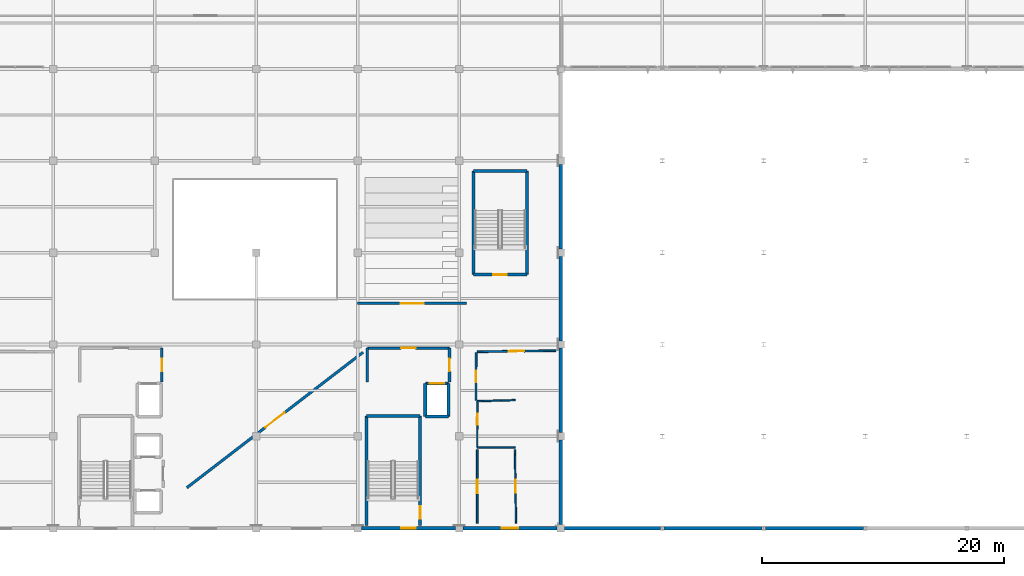
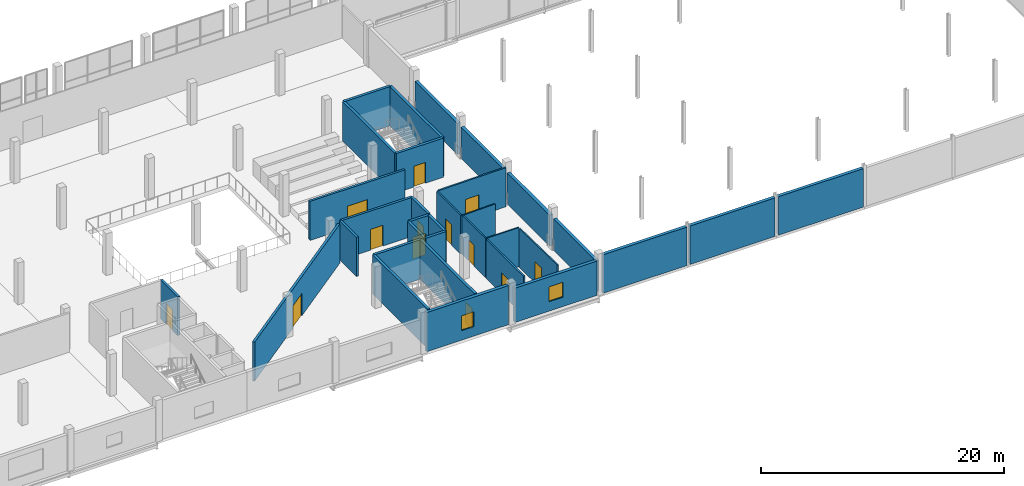
# One storey, part 194 of 217: 33 walls, 13 doors, 2 windows, 15 openings.
"""IFC4 building model written with IfcOpenShell, lengths in metres."""

from ifc_helpers import new_model, si_unit, direction, frame, frame_2d, origin, place, context, subcontext, project, spatial, rectangle, extrude, material, layer, layer_set, type_object, element, fill, save


model = new_model("IFC4")

# Units and contexts
model_context = context("Model", 3, precision=1e-05, world=origin(), true_north=direction((0.0, 1.0)))
body_context = subcontext(model_context, "Body", "Model", "MODEL_VIEW")
ifc_project = project(units=[si_unit("LENGTHUNIT", "METRE"), si_unit("AREAUNIT", "SQUARE_METRE"), si_unit("VOLUMEUNIT", "CUBIC_METRE"), si_unit("PLANEANGLEUNIT", "RADIAN"), si_unit("MASSUNIT", "GRAM", prefix="KILO")], contexts=[model_context])

# Site, building, storey
site_placement = place(None, origin())
site = spatial("IfcSite", under=ifc_project, at=site_placement, CompositionType="ELEMENT")
building_placement = place(site_placement, origin())
building = spatial("IfcBuilding", under=site, at=building_placement, Name="Zuvorla Pavilion Media Centre", CompositionType="ELEMENT")
storey_placement = place(building_placement, frame((0.0, 0.0, 9.60009765625)))
storey = spatial("IfcBuildingStorey", under=building, at=storey_placement, Name="L02", CompositionType="ELEMENT", Elevation=9.60009765625)

# Wall, opening, door
ifc_material_1 = material(Name="Acoustic masonry blockwork C32/40", Category="masonry")
ifc_layer_1 = layer(ifc_material_1, 0.219970703125)
ifc_layer_set_1 = layer_set([ifc_layer_1], Name="Acoustic masonry blockwork C32/40")
wall_type_1 = type_object("IfcWallType", Name="WL-CMP-220", PredefinedType="SOLIDWALL", material=ifc_layer_set_1)
wall_1_placement = place(storey_placement, frame((75.800048828125, 18.10009765625, 0.0), z_axis=(0.0, 0.0, 1.0), x_axis=(0.0, 1.0, 0.0)))
wall_1 = element("IfcWall", 1, at=wall_1_placement, inside=storey, type_object=wall_type_1, Name="L02 solid wall IW22 31", PredefinedType="SOLIDWALL", context=body_context, shape_type="SweptSolid", body=[
    extrude(rectangle(XDim=2.7998046875, YDim=0.219970703125, at=frame_2d((1.39990234375, 0.0))), origin(), (0.0, 0.0, 1.0), 3.929931640625),
])
opening_1_placement = place(wall_1_placement, frame((0.875, 0.0, 0.0)))
opening_1 = element("IfcOpeningElement", 2, at=opening_1_placement, cuts=wall_1, Name="Opening FD04", PredefinedType="OPENING", context=body_context, shape_type="SweptSolid", body=[
    extrude(rectangle(XDim=1.050048828125, YDim=2.10009765625, at=frame_2d((0.52490234375, 1.050048828125))), frame((0.0, 0.119873046875, 0.0), z_axis=(0.0, -1.0, 0.0), x_axis=(1.0, 0.0, 0.0)), (0.0, 0.0, 1.0), 0.239990234375),
])
ifc_material_2 = material(Name="Acoustic timber fire door leaf in steel frame", Category="steel")
door_type_1 = type_object("IfcDoorType", Name="DR-INT-FD04", OperationType="NOTDEFINED", PredefinedType="DOOR", material=ifc_material_2)
door_1_placement = place(opening_1_placement, origin())
door_1 = element("IfcDoor", 3, at=door_1_placement, inside=storey, type_object=door_type_1, Name="Firefighting lobby 1 access door FD04 15", OperationType="SINGLE_SWING_LEFT", OverallHeight=2.10009765625, OverallWidth=1.050048828125, PredefinedType="DOOR", context=body_context, shape_type="SweptSolid", body=[
    extrude(rectangle(XDim=1.050048828125, YDim=2.10009765625, at=frame_2d((0.52490234375, 1.050048828125))), frame((0.0, 0.02490234375, 0.0), z_axis=(0.0, -1.0, 0.0), x_axis=(1.0, 0.0, 0.0)), (0.0, 0.0, 1.0), 0.050048828125),
])
fill(opening_1, door_1)

wall_2_placement = place(storey_placement, frame((92.800048828125, 20.89990234375, 0.0), z_axis=(0.0, 0.0, 1.0), x_axis=(1.0, 0.0, 0.0)))
wall_2 = element("IfcWall", 4, at=wall_2_placement, inside=storey, type_object=wall_type_1, Name="L02 solid wall IW22 178", PredefinedType="SOLIDWALL", context=body_context, shape_type="SweptSolid", body=[
    extrude(rectangle(XDim=6.800048828125, YDim=0.219970703125, at=frame_2d((3.39990234375, 0.0))), origin(), (0.0, 0.0, 1.0), 3.929931640625),
])
opening_2_placement = place(wall_2_placement, frame((2.800048828125, 0.0, 0.0)))
opening_2 = element("IfcOpeningElement", 5, at=opening_2_placement, cuts=wall_2, Name="Opening FD06", PredefinedType="OPENING", context=body_context, shape_type="SweptSolid", body=[
    extrude(rectangle(XDim=1.199951171875, YDim=2.10009765625, at=frame_2d((0.60009765625, 1.050048828125))), frame((0.0, 0.119873046875, 0.0), z_axis=(0.0, -1.0, 0.0), x_axis=(1.0, 0.0, 0.0)), (0.0, 0.0, 1.0), 0.239990234375),
])
door_type_2 = type_object("IfcDoorType", Name="DR-INT-FD06", OperationType="NOTDEFINED", PredefinedType="DOOR", material=ifc_material_2)
door_2_placement = place(opening_2_placement, origin())
door_2 = element("IfcDoor", 6, at=door_2_placement, inside=storey, type_object=door_type_2, Name="Firefighting lobby 2 door FD06 67", OperationType="SINGLE_SWING_LEFT", OverallHeight=2.10009765625, OverallWidth=1.199951171875, PredefinedType="DOOR", context=body_context, shape_type="SweptSolid", body=[
    extrude(rectangle(XDim=1.199951171875, YDim=2.10009765625, at=frame_2d((0.60009765625, 1.050048828125))), frame((0.0, 0.02490234375, 0.0), z_axis=(0.0, -1.0, 0.0), x_axis=(1.0, 0.0, 0.0)), (0.0, 0.0, 1.0), 0.050048828125),
])
fill(opening_2, door_2)

# Wall
wall_3_placement = place(storey_placement, frame((92.800048828125, 18.10009765625, 0.0), z_axis=(0.0, 0.0, 1.0), x_axis=(0.0, 1.0, 0.0)))
element("IfcWall", 7, at=wall_3_placement, inside=storey, type_object=wall_type_1, Name="L02 solid wall IW22 179", PredefinedType="SOLIDWALL", context=body_context, shape_type="SweptSolid", body=[
    extrude(rectangle(XDim=2.7998046875, YDim=0.219970703125, at=frame_2d((1.39990234375, 0.0))), origin(), (0.0, 0.0, 1.0), 3.929931640625),
])

# Wall, opening, door
wall_4_placement = place(storey_placement, frame((99.60009765625, 18.10009765625, 0.0), z_axis=(0.0, 0.0, 1.0), x_axis=(0.0, 1.0, 0.0)))
wall_4 = element("IfcWall", 8, at=wall_4_placement, inside=storey, type_object=wall_type_1, Name="L02 solid wall IW22 180", PredefinedType="SOLIDWALL", context=body_context, shape_type="SweptSolid", body=[
    extrude(rectangle(XDim=2.7998046875, YDim=0.219970703125, at=frame_2d((1.39990234375, 0.0))), origin(), (0.0, 0.0, 1.0), 3.929931640625),
])
opening_3_placement = place(wall_4_placement, frame((0.875, 0.0, 0.0)))
opening_3 = element("IfcOpeningElement", 9, at=opening_3_placement, cuts=wall_4, Name="Opening FD04", PredefinedType="OPENING", context=body_context, shape_type="SweptSolid", body=[
    extrude(rectangle(XDim=1.050048828125, YDim=2.10009765625, at=frame_2d((0.52490234375, 1.050048828125))), frame((0.0, 0.119873046875, 0.0), z_axis=(0.0, -1.0, 0.0), x_axis=(1.0, 0.0, 0.0)), (0.0, 0.0, 1.0), 0.239990234375),
])
door_3_placement = place(opening_3_placement, origin())
door_3 = element("IfcDoor", 10, at=door_3_placement, inside=storey, type_object=door_type_1, Name="Firefighting lobby 2 access door FD04 68", OperationType="SINGLE_SWING_RIGHT", OverallHeight=2.10009765625, OverallWidth=1.050048828125, PredefinedType="DOOR", context=body_context, shape_type="SweptSolid", body=[
    extrude(rectangle(XDim=1.050048828125, YDim=2.10009765625, at=frame_2d((0.52490234375, 1.050048828125))), frame((0.0, 0.02490234375, 0.0), z_axis=(0.0, -1.0, 0.0), x_axis=(1.0, 0.0, 0.0)), (0.0, 0.0, 1.0), 0.050048828125),
])
fill(opening_3, door_3)

wall_5_placement = place(storey_placement, frame((91.98046875, 24.60009765625, 0.0), z_axis=(0.0, 0.0, 1.0), x_axis=(1.0, 0.0, 0.0)))
wall_5 = element("IfcWall", 11, at=wall_5_placement, inside=storey, type_object=wall_type_1, Name="L02 solid wall IW22 500", PredefinedType="SOLIDWALL", context=body_context, shape_type="SweptSolid", body=[
    extrude(rectangle(XDim=9.0390625, YDim=0.219970703125, at=frame_2d((4.51953125, 0.0))), origin(), (0.0, 0.0, 1.0), 3.929931640625),
])
opening_4_placement = place(wall_5_placement, frame((3.569580078125, 0.0, 0.0)))
opening_4 = element("IfcOpeningElement", 12, at=opening_4_placement, cuts=wall_5, Name="Opening FD11", PredefinedType="OPENING", context=body_context, shape_type="SweptSolid", body=[
    extrude(rectangle(XDim=1.89990234375, YDim=2.199951171875, at=frame_2d((0.949951171875, 1.10009765625))), frame((0.0, 0.119873046875, 0.0), z_axis=(0.0, -1.0, 0.0), x_axis=(1.0, 0.0, 0.0)), (0.0, 0.0, 1.0), 0.239990234375),
])
door_type_3 = type_object("IfcDoorType", Name="DR-INT-FD11", OperationType="NOTDEFINED", PredefinedType="DOOR", material=ifc_material_2)
door_4_placement = place(opening_4_placement, origin())
door_4 = element("IfcDoor", 13, at=door_4_placement, inside=storey, type_object=door_type_3, Name="Interior door FD11 207", OperationType="DOUBLE_DOOR_SINGLE_SWING", OverallHeight=2.199951171875, OverallWidth=1.89990234375, PredefinedType="DOOR", context=body_context, shape_type="SweptSolid", body=[
    extrude(rectangle(XDim=1.89990234375, YDim=2.199951171875, at=frame_2d((0.949951171875, 1.10009765625))), frame((0.0, 0.02490234375, 0.0), z_axis=(0.0, -1.0, 0.0), x_axis=(1.0, 0.0, 0.0)), (0.0, 0.0, 1.0), 0.050048828125),
])
fill(opening_4, door_4)

wall_6_placement = place(storey_placement, frame((92.43603515625, 20.55126953125, 0.0), z_axis=(0.0, 0.0, 1.0), x_axis=(-0.792804184344, -0.609476435382, 0.0)))
wall_6 = element("IfcWall", 14, at=wall_6_placement, inside=storey, type_object=wall_type_1, Name="L02 solid wall IW22 501", PredefinedType="SOLIDWALL", context=body_context, shape_type="SweptSolid", body=[
    extrude(rectangle(XDim=18.38037109375, YDim=0.219970703125, at=frame_2d((9.190185546875, 0.0))), origin(), (0.0, 0.0, 1.0), 3.929931640625),
])
opening_5_placement = place(wall_6_placement, frame((8.190185546875, 0.0, 0.0)))
opening_5 = element("IfcOpeningElement", 15, at=opening_5_placement, cuts=wall_6, Name="Opening FD12", PredefinedType="OPENING", context=body_context, shape_type="SweptSolid", body=[
    extrude(rectangle(XDim=2.0, YDim=2.25, at=frame_2d((1.0, 1.125))), frame((0.0, 0.119873046875, 0.0), z_axis=(0.0, -1.0, 0.0), x_axis=(1.0, 0.0, 0.0)), (0.0, 0.0, 1.0), 0.239990234375),
])
door_type_4 = type_object("IfcDoorType", Name="DR-INT-FD12", OperationType="NOTDEFINED", PredefinedType="DOOR", material=ifc_material_2)
door_5_placement = place(opening_5_placement, origin())
door_5 = element("IfcDoor", 16, at=door_5_placement, inside=storey, type_object=door_type_4, Name="Interior door FD12 208", OperationType="DOUBLE_DOOR_SINGLE_SWING", OverallHeight=2.25, OverallWidth=2.0, PredefinedType="DOOR", context=body_context, shape_type="SweptSolid", body=[
    extrude(rectangle(XDim=2.0, YDim=2.25, at=frame_2d((1.0, 1.125))), frame((0.0, 0.02490234375, 0.0), z_axis=(0.0, -1.0, 0.0), x_axis=(1.0, 0.0, 0.0)), (0.0, 0.0, 1.0), 0.050048828125),
])
fill(opening_5, door_5)

# Wall
ifc_material_3 = material(Name="Concrete C40/50", Category="concrete")
ifc_layer_2 = layer(ifc_material_3, 0.25)
ifc_layer_set_2 = layer_set([ifc_layer_2], Name="Concrete C40/50")
wall_type_2 = type_object("IfcWallType", Name="WL-COR-250", PredefinedType="SHEAR", material=ifc_layer_set_2)
wall_7_placement = place(storey_placement, frame((92.72509765625, 6.22509765625, 0.0), z_axis=(0.0, 0.0, 1.0), x_axis=(0.0, 1.0, 0.0)))
element("IfcWall", 17, at=wall_7_placement, inside=storey, type_object=wall_type_2, Name="L02 shear wall CW25 175", PredefinedType="SHEAR", context=body_context, shape_type="SweptSolid", body=[
    extrude(rectangle(XDim=9.0498046875, YDim=0.25, at=frame_2d((4.52490234375, 0.0))), origin(), (0.0, 0.0, 1.0), 3.949951171875),
])

# Wall, opening, door
wall_8_placement = place(storey_placement, frame((97.175048828125, 6.22509765625, 0.0), z_axis=(0.0, 0.0, 1.0), x_axis=(0.0, 1.0, 0.0)))
wall_8 = element("IfcWall", 18, at=wall_8_placement, inside=storey, type_object=wall_type_2, Name="L02 shear wall CW25 176", PredefinedType="SHEAR", context=body_context, shape_type="SweptSolid", body=[
    extrude(rectangle(XDim=9.0498046875, YDim=0.25, at=frame_2d((4.52490234375, 0.0))), origin(), (0.0, 0.0, 1.0), 3.949951171875),
])
opening_6_placement = place(wall_8_placement, frame((0.550048828125, 0.0, 0.0)))
opening_6 = element("IfcOpeningElement", 19, at=opening_6_placement, cuts=wall_8, Name="Opening FD04", PredefinedType="OPENING", context=body_context, shape_type="SweptSolid", body=[
    extrude(rectangle(XDim=1.050048828125, YDim=2.10009765625, at=frame_2d((0.52490234375, 1.050048828125))), frame((0.0, 0.135009765625, 0.0), z_axis=(0.0, -1.0, 0.0), x_axis=(1.0, 0.0, 0.0)), (0.0, 0.0, 1.0), 0.27001953125),
])
door_6_placement = place(opening_6_placement, frame((1.050048828125, 0.0, 0.0), z_axis=(0.0, 0.0, 1.0), x_axis=(-1.0, 0.0, 0.0)))
door_6 = element("IfcDoor", 20, at=door_6_placement, inside=storey, type_object=door_type_1, Name="Stair ST-02 fire door FD04 66", OperationType="SINGLE_SWING_LEFT", OverallHeight=2.10009765625, OverallWidth=1.050048828125, PredefinedType="DOOR", context=body_context, shape_type="SweptSolid", body=[
    extrude(rectangle(XDim=1.050048828125, YDim=2.10009765625, at=frame_2d((0.52490234375, 1.050048828125))), frame((0.0, 0.02490234375, 0.0), z_axis=(0.0, -1.0, 0.0), x_axis=(1.0, 0.0, 0.0)), (0.0, 0.0, 1.0), 0.050048828125),
])
fill(opening_6, door_6)

# Walls
wall_9_placement = place(storey_placement, frame((92.72509765625, 15.27490234375, 0.0), z_axis=(0.0, 0.0, 1.0), x_axis=(1.0, 0.0, 0.0)))
element("IfcWall", 21, at=wall_9_placement, inside=storey, type_object=wall_type_2, Name="L02 shear wall CW25 177", PredefinedType="SHEAR", context=body_context, shape_type="SweptSolid", body=[
    extrude(rectangle(XDim=4.449951171875, YDim=0.25, at=frame_2d((2.22509765625, 0.0))), origin(), (0.0, 0.0, 1.0), 3.949951171875),
])
wall_10_placement = place(storey_placement, frame((97.590087890625, 15.239990234375, 0.0), z_axis=(0.0, 0.0, 1.0), x_axis=(1.0, 0.0, 0.0)))
element("IfcWall", 22, at=wall_10_placement, inside=storey, type_object=wall_type_2, Name="L02 shear wall CW25 217", PredefinedType="SHEAR", context=body_context, shape_type="SweptSolid", body=[
    extrude(rectangle(XDim=1.919921875, YDim=0.25, at=frame_2d((0.9599609375, 0.0))), origin(), (0.0, 0.0, 1.0), 3.949951171875),
])

# Wall, opening, door
wall_11_placement = place(storey_placement, frame((97.590087890625, 17.9599609375, 0.0), z_axis=(0.0, 0.0, 1.0), x_axis=(1.0, 0.0, 0.0)))
wall_11 = element("IfcWall", 23, at=wall_11_placement, inside=storey, type_object=wall_type_2, Name="L02 shear wall CW25 218", PredefinedType="SHEAR", context=body_context, shape_type="SweptSolid", body=[
    extrude(rectangle(XDim=1.919921875, YDim=0.25, at=frame_2d((0.9599609375, 0.0))), origin(), (0.0, 0.0, 1.0), 3.949951171875),
])
opening_7_placement = place(wall_11_placement, frame((0.360107421875, 0.0, 0.0)))
opening_7 = element("IfcOpeningElement", 24, at=opening_7_placement, cuts=wall_11, Name="Opening LD02", PredefinedType="OPENING", context=body_context, shape_type="SweptSolid", body=[
    extrude(rectangle(XDim=1.199951171875, YDim=2.199951171875, at=frame_2d((0.60009765625, 1.10009765625))), frame((0.0, 0.135009765625, 0.0), z_axis=(0.0, -1.0, 0.0), x_axis=(1.0, 0.0, 0.0)), (0.0, 0.0, 1.0), 0.27001953125),
])
ifc_material_4 = material(Name="Brushed stainless steel sliding lift landing door", Category="steel")
door_type_5 = type_object("IfcDoorType", Name="DR-LFT-LD02", OperationType="SLIDING_TO_LEFT", PredefinedType="DOOR", material=ifc_material_4)
door_7_placement = place(opening_7_placement, origin())
door_7 = element("IfcDoor", 25, at=door_7_placement, inside=storey, type_object=door_type_5, Name="Lift LF-04 landing door LD02 84", OperationType="SLIDING_TO_LEFT", OverallHeight=2.199951171875, OverallWidth=1.199951171875, PredefinedType="DOOR", context=body_context, shape_type="SweptSolid", body=[
    extrude(rectangle(XDim=1.199951171875, YDim=2.199951171875, at=frame_2d((0.60009765625, 1.10009765625))), frame((0.0, 0.02490234375, 0.0), z_axis=(0.0, -1.0, 0.0), x_axis=(1.0, 0.0, 0.0)), (0.0, 0.0, 1.0), 0.050048828125),
])
fill(opening_7, door_7)

# Walls
for number, where, z_axis, x_axis, name in (
    (26, (97.590087890625, 15.239990234375, 0.0), (0.0, 0.0, 1.0), (0.0, 1.0, 0.0), "L02 shear wall CW25 219"),
    (27, (99.510009765625, 15.239990234375, 0.0), (0.0, 0.0, 1.0), (0.0, 1.0, 0.0), "L02 shear wall CW25 220"),
):
    element("IfcWall", number, at=place(storey_placement, frame(where, z_axis=z_axis, x_axis=x_axis)), inside=storey, type_object=wall_type_2, Name=name, PredefinedType="SHEAR", context=body_context, shape_type="SweptSolid", body=[
        extrude(rectangle(XDim=2.719970703125, YDim=0.25, at=frame_2d((1.35986328125, 0.0))), origin(), (0.0, 0.0, 1.0), 3.949951171875),
    ])
for number, where, z_axis, x_axis, name in (
    (28, (101.574951171875, 26.97509765625, 0.0), (0.0, 0.0, 1.0), (0.0, 1.0, 0.0), "L02 shear wall CW25 313"),
    (29, (106.02490234375, 26.97509765625, 0.0), (0.0, 0.0, 1.0), (0.0, 1.0, 0.0), "L02 shear wall CW25 314"),
):
    element("IfcWall", number, at=place(storey_placement, frame(where, z_axis=z_axis, x_axis=x_axis)), inside=storey, type_object=wall_type_2, Name=name, PredefinedType="SHEAR", context=body_context, shape_type="SweptSolid", body=[
        extrude(rectangle(XDim=8.599853515625, YDim=0.25, at=frame_2d((4.2998046875, 0.0))), origin(), (0.0, 0.0, 1.0), 3.949951171875),
    ])
wall_12_placement = place(storey_placement, frame((101.574951171875, 35.574951171875, 0.0), z_axis=(0.0, 0.0, 1.0), x_axis=(1.0, 0.0, 0.0)))
element("IfcWall", 30, at=wall_12_placement, inside=storey, type_object=wall_type_2, Name="L02 shear wall CW25 315", PredefinedType="SHEAR", context=body_context, shape_type="SweptSolid", body=[
    extrude(rectangle(XDim=4.449951171875, YDim=0.25, at=frame_2d((2.22509765625, 0.0))), origin(), (0.0, 0.0, 1.0), 3.949951171875),
])

# Wall, opening, door
wall_13_placement = place(storey_placement, frame((101.574951171875, 26.97509765625, 0.0), z_axis=(0.0, 0.0, 1.0), x_axis=(1.0, 0.0, 0.0)))
wall_13 = element("IfcWall", 31, at=wall_13_placement, inside=storey, type_object=wall_type_2, Name="L02 shear wall CW25 316", PredefinedType="SHEAR", context=body_context, shape_type="SweptSolid", body=[
    extrude(rectangle(XDim=4.449951171875, YDim=0.25, at=frame_2d((2.22509765625, 0.0))), origin(), (0.0, 0.0, 1.0), 3.949951171875),
])
opening_8_placement = place(wall_13_placement, frame((1.64990234375, 0.0, 0.0)))
opening_8 = element("IfcOpeningElement", 32, at=opening_8_placement, cuts=wall_13, Name="Opening FD05", PredefinedType="OPENING", context=body_context, shape_type="SweptSolid", body=[
    extrude(rectangle(XDim=1.10009765625, YDim=2.10009765625, at=frame_2d((0.550048828125, 1.050048828125))), frame((0.0, 0.135009765625, 0.0), z_axis=(0.0, -1.0, 0.0), x_axis=(1.0, 0.0, 0.0)), (0.0, 0.0, 1.0), 0.27001953125),
])
door_type_6 = type_object("IfcDoorType", Name="DR-INT-FD05", OperationType="NOTDEFINED", PredefinedType="DOOR", material=ifc_material_2)
door_8_placement = place(opening_8_placement, frame((1.10009765625, 0.0, 0.0), z_axis=(0.0, 0.0, 1.0), x_axis=(-1.0, 0.0, 0.0)))
door_8 = element("IfcDoor", 33, at=door_8_placement, inside=storey, type_object=door_type_6, Name="Stair ST-04 fire door FD05 108", OperationType="SINGLE_SWING_RIGHT", OverallHeight=2.10009765625, OverallWidth=1.10009765625, PredefinedType="DOOR", context=body_context, shape_type="SweptSolid", body=[
    extrude(rectangle(XDim=1.10009765625, YDim=2.10009765625, at=frame_2d((0.550048828125, 1.050048828125))), frame((0.0, 0.02490234375, 0.0), z_axis=(0.0, -1.0, 0.0), x_axis=(1.0, 0.0, 0.0)), (0.0, 0.0, 1.0), 0.050048828125),
])
fill(opening_8, door_8)

# Wall, opening, window
ifc_material_5 = material(Name="White rendered concrete C32/40", Category="concrete")
ifc_layer_3 = layer(ifc_material_5, 0.300048828125)
ifc_layer_set_3 = layer_set([ifc_layer_3], Name="White rendered concrete C32/40")
wall_type_3 = type_object("IfcWallType", Name="WL-EXT-300", PredefinedType="SOLIDWALL", material=ifc_layer_set_3)
wall_14_placement = place(storey_placement, frame((92.300048828125, 6.0, 0.0), z_axis=(0.0, 0.0, 1.0), x_axis=(1.0, 0.0, 0.0)))
wall_14 = element("IfcWall", 34, at=wall_14_placement, inside=storey, type_object=wall_type_3, Name="L02 exterior solid wall EW03 213", PredefinedType="SOLIDWALL", context=body_context, shape_type="SweptSolid", body=[
    extrude(rectangle(XDim=7.800048828125, YDim=0.300048828125, at=frame_2d((3.89990234375, 0.0))), origin(), (0.0, 0.0, 1.0), 3.929931640625),
])
opening_9_placement = place(wall_14_placement, frame((3.300048828125, 0.0, 0.949951171875)))
opening_9 = element("IfcOpeningElement", 35, at=opening_9_placement, cuts=wall_14, Name="Opening WN01", PredefinedType="OPENING", context=body_context, shape_type="SweptSolid", body=[
    extrude(rectangle(XDim=1.199951171875, YDim=1.5, at=frame_2d((0.60009765625, 0.75))), frame((0.0, 0.159912109375, 0.0), z_axis=(0.0, -1.0, 0.0), x_axis=(1.0, 0.0, 0.0)), (0.0, 0.0, 1.0), 0.320068359375),
])
ifc_material_6 = material(Name="Anodised aluminium frame with solar double glazing", Category="aluminium")
window_type_1 = type_object("IfcWindowType", Name="WIN-WN01", PartitioningType="SINGLE_PANEL", PredefinedType="WINDOW", material=ifc_material_6)
window_1_placement = place(opening_9_placement, origin())
window_1 = element("IfcWindow", 36, at=window_1_placement, inside=storey, type_object=window_type_1, Name="L02 window WN01 85", OverallHeight=1.5, OverallWidth=1.199951171875, PartitioningType="SINGLE_PANEL", PredefinedType="WINDOW", context=body_context, shape_type="SweptSolid", body=[
    extrude(rectangle(XDim=1.199951171875, YDim=1.5, at=frame_2d((0.60009765625, 0.75))), frame((0.0, 0.030029296875, 0.0), z_axis=(0.0, -1.0, 0.0), x_axis=(1.0, 0.0, 0.0)), (0.0, 0.0, 1.0), 0.06005859375),
])
fill(opening_9, window_1)

wall_15_placement = place(storey_placement, frame((100.699951171875, 6.0, 0.0), z_axis=(0.0, 0.0, 1.0), x_axis=(1.0, 0.0, 0.0)))
wall_15 = element("IfcWall", 37, at=wall_15_placement, inside=storey, type_object=wall_type_3, Name="L02 exterior solid wall EW03 214", PredefinedType="SOLIDWALL", context=body_context, shape_type="SweptSolid", body=[
    extrude(rectangle(XDim=7.800048828125, YDim=0.300048828125, at=frame_2d((3.89990234375, 0.0))), origin(), (0.0, 0.0, 1.0), 3.447021484375),
])
opening_10_placement = place(wall_15_placement, frame((3.22509765625, 0.0, 0.949951171875)))
opening_10 = element("IfcOpeningElement", 38, at=opening_10_placement, cuts=wall_15, Name="Opening WN02", PredefinedType="OPENING", context=body_context, shape_type="SweptSolid", body=[
    extrude(rectangle(XDim=1.35009765625, YDim=1.5, at=frame_2d((0.675048828125, 0.75))), frame((0.0, 0.159912109375, 0.0), z_axis=(0.0, -1.0, 0.0), x_axis=(1.0, 0.0, 0.0)), (0.0, 0.0, 1.0), 0.320068359375),
])
window_type_2 = type_object("IfcWindowType", Name="WIN-WN02", PartitioningType="SINGLE_PANEL", PredefinedType="WINDOW", material=ifc_material_6)
window_2_placement = place(opening_10_placement, origin())
window_2 = element("IfcWindow", 39, at=window_2_placement, inside=storey, type_object=window_type_2, Name="L02 window WN02 86", OverallHeight=1.5, OverallWidth=1.35009765625, PartitioningType="SINGLE_PANEL", PredefinedType="WINDOW", context=body_context, shape_type="SweptSolid", body=[
    extrude(rectangle(XDim=1.35009765625, YDim=1.5, at=frame_2d((0.675048828125, 0.75))), frame((0.0, 0.030029296875, 0.0), z_axis=(0.0, -1.0, 0.0), x_axis=(1.0, 0.0, 0.0)), (0.0, 0.0, 1.0), 0.06005859375),
])
fill(opening_10, window_2)

# Walls
wall_16_placement = place(storey_placement, frame((109.10009765625, 6.0, 0.0), z_axis=(0.0, 0.0, 1.0), x_axis=(1.0, 0.0, 0.0)))
element("IfcWall", 40, at=wall_16_placement, inside=storey, type_object=wall_type_3, Name="L02 exterior solid wall EW03 215", PredefinedType="SOLIDWALL", context=body_context, shape_type="SweptSolid", body=[
    extrude(rectangle(XDim=7.9453125, YDim=0.300048828125, at=frame_2d((3.97265625, 0.0))), origin(), (0.0, 0.0, 1.0), 3.875),
])
for number, where, z_axis, x_axis, name in (
    (41, (117.3544921875, 6.0, 0.0), (0.0, 0.0, 1.0), (1.0, 0.0, 0.0), "L02 exterior solid wall EW03 216"),
    (42, (125.754638671875, 6.0, 0.0), (0.0, 0.0, 1.0), (1.0, 0.0, 0.0), "L02 exterior solid wall EW03 217"),
):
    element("IfcWall", number, at=place(storey_placement, frame(where, z_axis=z_axis, x_axis=x_axis)), inside=storey, type_object=wall_type_3, Name=name, PredefinedType="SOLIDWALL", context=body_context, shape_type="SweptSolid", body=[
        extrude(rectangle(XDim=8.0908203125, YDim=0.300048828125, at=frame_2d((4.04541015625, 0.0))), origin(), (0.0, 0.0, 1.0), 3.875),
    ])
for number, where, z_axis, x_axis, name in (
    (43, (108.800048828125, 6.300048828125, 0.0), (0.0, 0.0, 1.0), (0.0, 1.0, 0.0), "L02 exterior solid wall EW03 232"),
    (44, (108.800048828125, 13.89990234375, 0.0), (0.0, 0.0, 1.0), (0.0, 1.0, 0.0), "L02 exterior solid wall EW03 233"),
    (45, (108.800048828125, 21.5, 0.0), (0.0, 0.0, 1.0), (0.0, 1.0, 0.0), "L02 exterior solid wall EW03 234"),
    (46, (108.800048828125, 29.10009765625, 0.0), (0.0, 0.0, 1.0), (0.0, 1.0, 0.0), "L02 exterior solid wall EW03 235"),
):
    element("IfcWall", number, at=place(storey_placement, frame(where, z_axis=z_axis, x_axis=x_axis)), inside=storey, type_object=wall_type_3, Name=name, PredefinedType="SOLIDWALL", context=body_context, shape_type="SweptSolid", body=[
        extrude(rectangle(XDim=7.0, YDim=0.300048828125, at=frame_2d((3.5, 0.0))), origin(), (0.0, 0.0, 1.0), 3.134765625),
    ])

# Wall, opening, door
ifc_material_7 = material(Name="Lightweight gypsum partition")
ifc_layer_4 = layer(ifc_material_7, 0.1201171875)
ifc_layer_set_4 = layer_set([ifc_layer_4], Name="Lightweight gypsum partition")
wall_type_4 = type_object("IfcWallType", Name="WL-PRT-120", PredefinedType="PARTITIONING", material=ifc_layer_set_4)
wall_17_placement = place(storey_placement, frame((101.891357421875, 12.679931640625, 0.0), z_axis=(0.0, 0.0, 1.0), x_axis=(0.002098030858, 0.999997799131, 0.0)))
wall_17 = element("IfcWall", 47, at=wall_17_placement, inside=storey, type_object=wall_type_4, Name="L02 partition PT12 496", PredefinedType="PARTITIONING", context=body_context, shape_type="SweptSolid", body=[
    extrude(rectangle(XDim=3.840087890625, YDim=0.1201171875, at=frame_2d((1.919921875, 0.0))), origin(), (0.0, 0.0, 1.0), 3.929931640625),
])
opening_11_placement = place(wall_17_placement, frame((1.860107421875, 0.0, 0.0)))
opening_11 = element("IfcOpeningElement", 48, at=opening_11_placement, cuts=wall_17, Name="Opening ID02", PredefinedType="OPENING", context=body_context, shape_type="SweptSolid", body=[
    extrude(rectangle(XDim=0.919921875, YDim=2.080078125, at=frame_2d((0.4599609375, 1.0400390625))), frame((0.0, 0.070068359375, 0.0), z_axis=(0.0, -1.0, 0.0), x_axis=(1.0, 0.0, 0.0)), (0.0, 0.0, 1.0), 0.14013671875),
])
ifc_material_8 = material(Name="Hardwood acoustic studio door in anodised frame", Category="wood")
door_type_7 = type_object("IfcDoorType", Name="DR-UNR-ID02", OperationType="NOTDEFINED", PredefinedType="DOOR", material=ifc_material_8)
door_9_placement = place(opening_11_placement, origin())
door_9 = element("IfcDoor", 49, at=door_9_placement, inside=storey, type_object=door_type_7, Name="Interior door ID02 203", OperationType="SINGLE_SWING_RIGHT", OverallHeight=2.080078125, OverallWidth=0.919921875, PredefinedType="DOOR", context=body_context, shape_type="SweptSolid", body=[
    extrude(rectangle(XDim=0.919921875, YDim=2.080078125, at=frame_2d((0.4599609375, 1.0400390625))), frame((0.0, 0.02490234375, 0.0), z_axis=(0.0, -1.0, 0.0), x_axis=(1.0, 0.0, 0.0)), (0.0, 0.0, 1.0), 0.050048828125),
])
fill(opening_11, door_9)

# Walls
wall_18_placement = place(storey_placement, frame((105.02001953125, 12.68994140625, 0.0), z_axis=(0.0, 0.0, 1.0), x_axis=(-1.0, 0.0, 0.0)))
element("IfcWall", 50, at=wall_18_placement, inside=storey, type_object=wall_type_4, Name="L02 partition PT12 511", PredefinedType="PARTITIONING", context=body_context, shape_type="SweptSolid", body=[
    extrude(rectangle(XDim=3.14013671875, YDim=0.1201171875, at=frame_2d((1.570068359375, 0.0))), origin(), (0.0, 0.0, 1.0), 3.929931640625),
])
wall_19_placement = place(storey_placement, frame((101.8798828125, 16.5126953125, 0.0), z_axis=(0.0, 0.0, 1.0), x_axis=(0.999632070922, 0.02712421029, 0.0)))
element("IfcWall", 51, at=wall_19_placement, inside=storey, type_object=wall_type_4, Name="L02 partition PT12 512", PredefinedType="PARTITIONING", context=body_context, shape_type="SweptSolid", body=[
    extrude(rectangle(XDim=3.141357421875, YDim=0.1201171875, at=frame_2d((1.57080078125, 0.0))), origin(), (0.0, 0.0, 1.0), 3.929931640625),
])

# Wall, opening, door
wall_20_placement = place(storey_placement, frame((105.010009765625, 12.510009765625, 0.0), z_axis=(0.0, 0.0, 1.0), x_axis=(0.014742474068, -0.999891323824, 0.0)))
wall_20 = element("IfcWall", 52, at=wall_20_placement, inside=storey, type_object=wall_type_4, Name="L02 partition PT12 513", PredefinedType="PARTITIONING", context=body_context, shape_type="SweptSolid", body=[
    extrude(rectangle(XDim=6.11083984375, YDim=0.1201171875, at=frame_2d((3.055419921875, 0.0))), origin(), (0.0, 0.0, 1.0), 3.929931640625),
])
opening_12_placement = place(wall_20_placement, frame((2.515380859375, 0.0, 0.0)))
opening_12 = element("IfcOpeningElement", 53, at=opening_12_placement, cuts=wall_20, Name="Opening ID05", PredefinedType="OPENING", context=body_context, shape_type="SweptSolid", body=[
    extrude(rectangle(XDim=1.080078125, YDim=2.1201171875, at=frame_2d((0.5400390625, 1.06005859375))), frame((0.0, 0.070068359375, 0.0), z_axis=(0.0, -1.0, 0.0), x_axis=(1.0, 0.0, 0.0)), (0.0, 0.0, 1.0), 0.14013671875),
])
door_type_8 = type_object("IfcDoorType", Name="DR-UNR-ID05", OperationType="NOTDEFINED", PredefinedType="DOOR", material=ifc_material_8)
door_10_placement = place(opening_12_placement, origin())
door_10 = element("IfcDoor", 54, at=door_10_placement, inside=storey, type_object=door_type_8, Name="Interior door ID05 217", OperationType="SINGLE_SWING_RIGHT", OverallHeight=2.1201171875, OverallWidth=1.080078125, PredefinedType="DOOR", context=body_context, shape_type="SweptSolid", body=[
    extrude(rectangle(XDim=1.080078125, YDim=2.1201171875, at=frame_2d((0.5400390625, 1.06005859375))), frame((0.0, 0.02490234375, 0.0), z_axis=(0.0, -1.0, 0.0), x_axis=(1.0, 0.0, 0.0)), (0.0, 0.0, 1.0), 0.050048828125),
])
fill(opening_12, door_10)

ifc_material_9 = material(Name="Acoustic gypsum stud partition")
ifc_layer_5 = layer(ifc_material_9, 0.14990234375)
ifc_layer_set_5 = layer_set([ifc_layer_5], Name="Acoustic gypsum stud partition")
wall_type_5 = type_object("IfcWallType", Name="WL-PRT-150", PredefinedType="PARTITIONING", material=ifc_layer_set_5)
wall_21_placement = place(storey_placement, frame((101.889892578125, 6.39990234375, 0.0), z_axis=(0.0, 0.0, 1.0), x_axis=(0.000239741073, 0.999999971262, 0.0)))
wall_21 = element("IfcWall", 55, at=wall_21_placement, inside=storey, type_object=wall_type_5, Name="L02 partition PT15 497", PredefinedType="PARTITIONING", context=body_context, shape_type="SweptSolid", body=[
    extrude(rectangle(XDim=6.110107421875, YDim=0.14990234375, at=frame_2d((3.05517578125, 0.0))), origin(), (0.0, 0.0, 1.0), 3.929931640625),
])
opening_13_placement = place(wall_21_placement, frame((2.47998046875, 0.0, 0.0)))
opening_13 = element("IfcOpeningElement", 56, at=opening_13_placement, cuts=wall_21, Name="Opening ID06", PredefinedType="OPENING", context=body_context, shape_type="SweptSolid", body=[
    extrude(rectangle(XDim=1.14990234375, YDim=2.1201171875, at=frame_2d((0.574951171875, 1.06005859375))), frame((0.0, 0.0849609375, 0.0), z_axis=(0.0, -1.0, 0.0), x_axis=(1.0, 0.0, 0.0)), (0.0, 0.0, 1.0), 0.169921875),
])
door_type_9 = type_object("IfcDoorType", Name="DR-UNR-ID06", OperationType="NOTDEFINED", PredefinedType="DOOR", material=ifc_material_8)
door_11_placement = place(opening_13_placement, origin())
door_11 = element("IfcDoor", 57, at=door_11_placement, inside=storey, type_object=door_type_9, Name="Interior door ID06 204", OperationType="SINGLE_SWING_LEFT", OverallHeight=2.1201171875, OverallWidth=1.14990234375, PredefinedType="DOOR", context=body_context, shape_type="SweptSolid", body=[
    extrude(rectangle(XDim=1.14990234375, YDim=2.1201171875, at=frame_2d((0.574951171875, 1.06005859375))), frame((0.0, 0.02490234375, 0.0), z_axis=(0.0, -1.0, 0.0), x_axis=(1.0, 0.0, 0.0)), (0.0, 0.0, 1.0), 0.050048828125),
])
fill(opening_13, door_11)

wall_22_placement = place(storey_placement, frame((108.39990234375, 20.68994140625, 0.0), z_axis=(0.0, 0.0, 1.0), x_axis=(-0.999907125909, -0.013628630039, 0.0)))
wall_22 = element("IfcWall", 58, at=wall_22_placement, inside=storey, type_object=wall_type_5, Name="L02 partition PT15 498", PredefinedType="PARTITIONING", context=body_context, shape_type="SweptSolid", body=[
    extrude(rectangle(XDim=6.5205078125, YDim=0.14990234375, at=frame_2d((3.26025390625, 0.0))), origin(), (0.0, 0.0, 1.0), 3.929931640625),
])
opening_14_placement = place(wall_22_placement, frame((2.63525390625, 0.0, 0.0)))
opening_14 = element("IfcOpeningElement", 59, at=opening_14_placement, cuts=wall_22, Name="Opening ID07", PredefinedType="OPENING", context=body_context, shape_type="SweptSolid", body=[
    extrude(rectangle(XDim=1.25, YDim=2.1201171875, at=frame_2d((0.625, 1.06005859375))), frame((0.0, 0.0849609375, 0.0), z_axis=(0.0, -1.0, 0.0), x_axis=(1.0, 0.0, 0.0)), (0.0, 0.0, 1.0), 0.169921875),
])
door_type_10 = type_object("IfcDoorType", Name="DR-UNR-ID07", OperationType="NOTDEFINED", PredefinedType="DOOR", material=ifc_material_8)
door_12_placement = place(opening_14_placement, origin())
door_12 = element("IfcDoor", 60, at=door_12_placement, inside=storey, type_object=door_type_10, Name="Interior door ID07 205", OperationType="SINGLE_SWING_RIGHT", OverallHeight=2.1201171875, OverallWidth=1.25, PredefinedType="DOOR", context=body_context, shape_type="SweptSolid", body=[
    extrude(rectangle(XDim=1.25, YDim=2.1201171875, at=frame_2d((0.625, 1.06005859375))), frame((0.0, 0.02490234375, 0.0), z_axis=(0.0, -1.0, 0.0), x_axis=(1.0, 0.0, 0.0)), (0.0, 0.0, 1.0), 0.050048828125),
])
fill(opening_14, door_12)

wall_23_placement = place(storey_placement, frame((101.7998046875, 20.52001953125, 0.0), z_axis=(0.0, 0.0, 1.0), x_axis=(-0.002424009287, -0.999997062085, 0.0)))
wall_23 = element("IfcWall", 61, at=wall_23_placement, inside=storey, type_object=wall_type_5, Name="L02 partition PT15 499", PredefinedType="PARTITIONING", context=body_context, shape_type="SweptSolid", body=[
    extrude(rectangle(XDim=3.927978515625, YDim=0.14990234375, at=frame_2d((1.9638671875, 0.0))), origin(), (0.0, 0.0, 1.0), 3.929931640625),
])
opening_15_placement = place(wall_23_placement, frame((1.50390625, 0.0, 0.0)))
opening_15 = element("IfcOpeningElement", 62, at=opening_15_placement, cuts=wall_23, Name="Opening ID02", PredefinedType="OPENING", context=body_context, shape_type="SweptSolid", body=[
    extrude(rectangle(XDim=0.919921875, YDim=2.080078125, at=frame_2d((0.4599609375, 1.0400390625))), frame((0.0, 0.0849609375, 0.0), z_axis=(0.0, -1.0, 0.0), x_axis=(1.0, 0.0, 0.0)), (0.0, 0.0, 1.0), 0.169921875),
])
door_13_placement = place(opening_15_placement, origin())
door_13 = element("IfcDoor", 63, at=door_13_placement, inside=storey, type_object=door_type_7, Name="Interior door ID02 206", OperationType="SINGLE_SWING_LEFT", OverallHeight=2.080078125, OverallWidth=0.919921875, PredefinedType="DOOR", context=body_context, shape_type="SweptSolid", body=[
    extrude(rectangle(XDim=0.919921875, YDim=2.080078125, at=frame_2d((0.4599609375, 1.0400390625))), frame((0.0, 0.02490234375, 0.0), z_axis=(0.0, -1.0, 0.0), x_axis=(1.0, 0.0, 0.0)), (0.0, 0.0, 1.0), 0.050048828125),
])
fill(opening_15, door_13)

save(model, "model.ifc")
